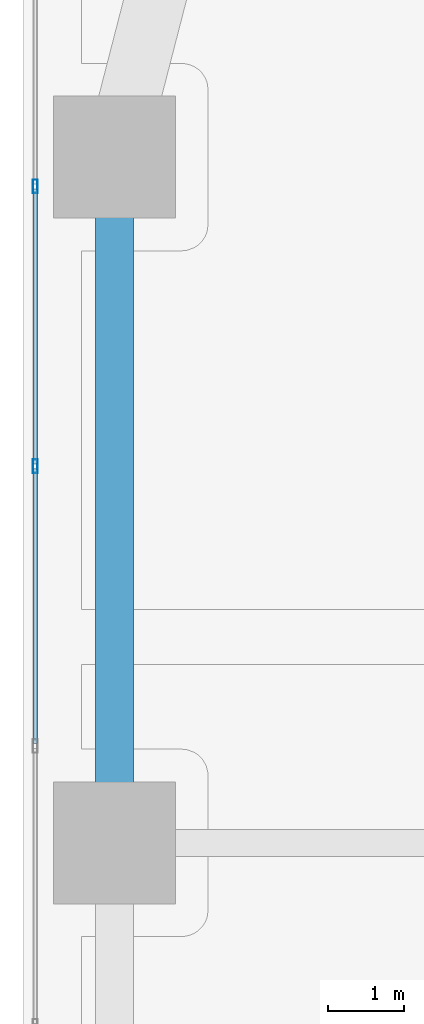
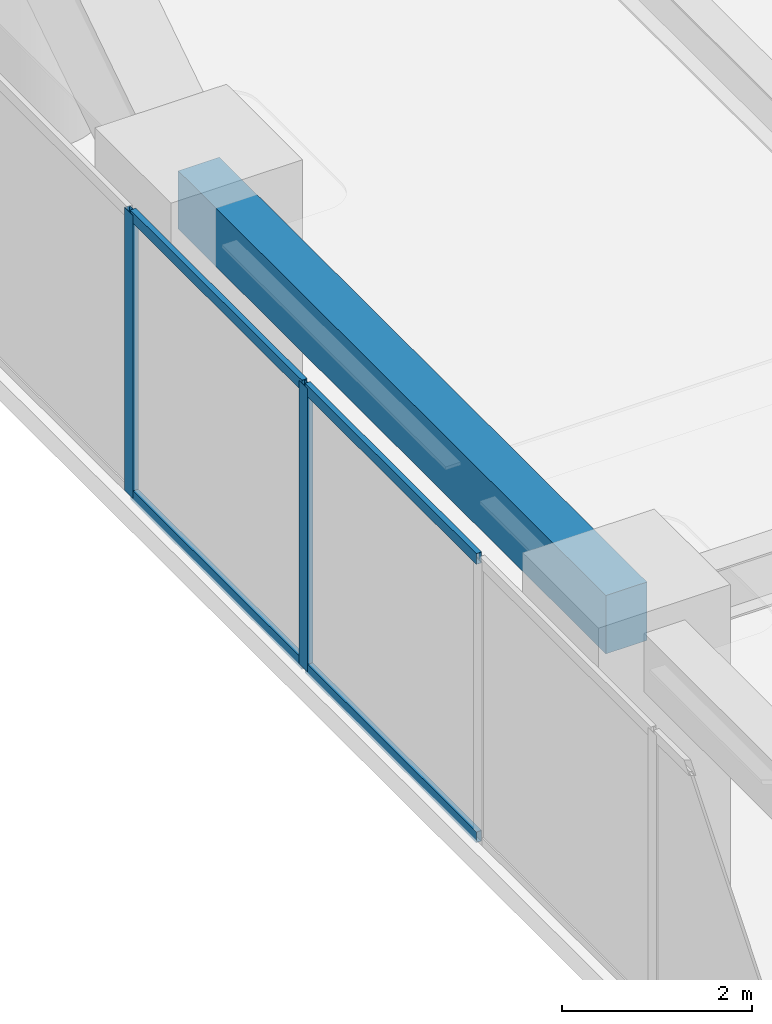
# One storey, part 12 of 29: 6 members, 1 beam, 1 element without a shape of its own.
"""IFC4 building model written with IfcOpenShell, lengths in metres."""

from ifc_helpers import new_model, si_unit, direction, frame, origin, origin_2d, place, context, subcontext, project, spatial, rectangle, hollow_rectangle, extrude, material, layer, layer_set, material_profile, profile_set, type_object, element, aggregate, save


model = new_model("IFC4")

# Units and contexts
model_context = context("Model", 3, precision=1e-05, world=origin(), true_north=direction((0.0, 1.0)))
body_context = subcontext(model_context, "Body", "Model", "MODEL_VIEW")
ifc_project = project(units=[si_unit("LENGTHUNIT", "METRE"), si_unit("AREAUNIT", "SQUARE_METRE"), si_unit("VOLUMEUNIT", "CUBIC_METRE"), si_unit("PLANEANGLEUNIT", "RADIAN"), si_unit("MASSUNIT", "GRAM", prefix="KILO")], contexts=[model_context])

# Site, building, storey
site_placement = place(None, origin())
site = spatial("IfcSite", under=ifc_project, at=site_placement, CompositionType="ELEMENT")
building_placement = place(site_placement, origin())
building = spatial("IfcBuilding", under=site, at=building_placement, Name="Kiyonajd Concourse Tower", CompositionType="ELEMENT")
storey_placement = place(building_placement, frame((0.0, 0.0, 45.0)))
storey = spatial("IfcBuildingStorey", under=building, at=storey_placement, Name="L12", CompositionType="ELEMENT", Elevation=45.0)

# Beam
ifc_material_1 = material(Name="Precast concrete C50/60", Category="concrete")
ifc_material_profile_1 = material_profile(ifc_material_1, rectangle(XDim=0.5, YDim=0.75, at=origin_2d()), Name="RCBM-500x750")
ifc_profile_set_1 = profile_set([ifc_material_profile_1], Name="Precast concrete C50/60")
beam_type = type_object("IfcBeamType", Name="BM-SPAN-RC", PredefinedType="SPANDREL", material=ifc_profile_set_1)
beam_placement = place(storey_placement, frame((19.199951171875, 53.39990234375, 3.264892578125), z_axis=(0.0, -1.0, 0.0), x_axis=(1.0, 0.0, 0.0)))
element("IfcBeam", 1, at=beam_placement, inside=storey, type_object=beam_type, Name="L12 Perimeter Bundled Tube Spandrel", PredefinedType="SPANDREL", context=body_context, shape_type="SweptSolid", body=[
    extrude(rectangle(XDim=0.5, YDim=0.75, at=origin_2d()), origin(), (0.0, 0.0, 1.0), 9.0),
])

# Curtain wall, members
ifc_material_2 = material(Name="Thermally Broken Anodised Aluminium", Category="aluminium")
ifc_layer = layer(ifc_material_2, 0.179931640625)
ifc_layer_set = layer_set([ifc_layer], Name="Thermally Broken Anodised Aluminium")
curtain_wall_type = type_object("IfcCurtainWallType", Name="CW-SYS-02", PredefinedType="NOTDEFINED", material=ifc_layer_set)
curtain_wall_placement = place(storey_placement, origin())
curtain_wall = element("IfcCurtainWall", 2, at=curtain_wall_placement, inside=storey, type_object=curtain_wall_type, Name="L12 Unitised Curtain Wall CW2", PredefinedType="NOTDEFINED")
ifc_material_profile_2 = material_profile(ifc_material_2, hollow_rectangle(XDim=0.06494140625, YDim=0.179931640625, WallThickness=0.00390625, at=origin_2d()), Name="MULL-65x180")
ifc_profile_set_2 = profile_set([ifc_material_profile_2], Name="Thermally Broken Anodised Aluminium")
member_type_1 = type_object("IfcMemberType", Name="MB-CW-MULL1", PredefinedType="MULLION", material=ifc_profile_set_2)
member_1_placement = place(storey_placement, frame((18.159912109375, 49.342529296875, 0.0), z_axis=(0.0, 0.0, 1.0), x_axis=(-1.0, 0.0, 0.0)))
member_1 = element("IfcMember", 3, at=member_1_placement, type_object=member_type_1, Name="CW2 mullion 5", PredefinedType="MULLION", context=body_context, shape_type="SweptSolid", body=[
    extrude(hollow_rectangle(XDim=0.06494140625, YDim=0.179931640625, WallThickness=0.00390625, at=origin_2d()), origin(), (0.0, 0.0, 1.0), 3.639892578125),
])
member_2_placement = place(storey_placement, frame((18.159912109375, 53.015869140625, 0.0), z_axis=(0.0, 0.0, 1.0), x_axis=(-1.0, 0.0, 0.0)))
member_2 = element("IfcMember", 4, at=member_2_placement, type_object=member_type_1, Name="CW2 mullion 6", PredefinedType="MULLION", context=body_context, shape_type="SweptSolid", body=[
    extrude(hollow_rectangle(XDim=0.06494140625, YDim=0.179931640625, WallThickness=0.00390625, at=origin_2d()), origin(), (0.0, 0.0, 1.0), 3.639892578125),
])
ifc_material_profile_3 = material_profile(ifc_material_2, hollow_rectangle(XDim=0.06494140625, YDim=0.139892578125, WallThickness=0.00390625, at=origin_2d()), Name="TRAN-65x140")
ifc_profile_set_3 = profile_set([ifc_material_profile_3], Name="Thermally Broken Anodised Aluminium")
member_type_2 = type_object("IfcMemberType", Name="MB-CW-TRAN1", PredefinedType="USERDEFINED", material=ifc_profile_set_3)
member_3_placement = place(storey_placement, frame((18.159912109375, 45.701904296875, 0.032470703125), z_axis=(0.0, 1.0, 0.0), x_axis=(-1.0, 0.0, 0.0)))
member_3 = element("IfcMember", 5, at=member_3_placement, type_object=member_type_2, Name="CW2 transom 4.1", ObjectType="TRANSOM", PredefinedType="USERDEFINED", context=body_context, shape_type="SweptSolid", body=[
    extrude(hollow_rectangle(XDim=0.06494140625, YDim=0.139892578125, WallThickness=0.00390625, at=origin_2d()), origin(), (0.0, 0.0, 1.0), 3.608154296875),
])
member_4_placement = place(storey_placement, frame((18.159912109375, 45.701904296875, 3.607421875), z_axis=(0.0, 1.0, 0.0), x_axis=(-1.0, 0.0, 0.0)))
member_4 = element("IfcMember", 6, at=member_4_placement, type_object=member_type_2, Name="CW2 transom 4.2", ObjectType="TRANSOM", PredefinedType="USERDEFINED", context=body_context, shape_type="SweptSolid", body=[
    extrude(hollow_rectangle(XDim=0.06494140625, YDim=0.139892578125, WallThickness=0.00390625, at=origin_2d()), origin(), (0.0, 0.0, 1.0), 3.608154296875),
])
member_5_placement = place(storey_placement, frame((18.159912109375, 49.375, 0.032470703125), z_axis=(0.0, 1.0, 0.0), x_axis=(-1.0, 0.0, 0.0)))
member_5 = element("IfcMember", 7, at=member_5_placement, type_object=member_type_2, Name="CW2 transom 5.1", ObjectType="TRANSOM", PredefinedType="USERDEFINED", context=body_context, shape_type="SweptSolid", body=[
    extrude(hollow_rectangle(XDim=0.06494140625, YDim=0.139892578125, WallThickness=0.00390625, at=origin_2d()), origin(), (0.0, 0.0, 1.0), 3.608154296875),
])
member_6_placement = place(storey_placement, frame((18.159912109375, 49.375, 3.607421875), z_axis=(0.0, 1.0, 0.0), x_axis=(-1.0, 0.0, 0.0)))
member_6 = element("IfcMember", 8, at=member_6_placement, type_object=member_type_2, Name="CW2 transom 5.2", ObjectType="TRANSOM", PredefinedType="USERDEFINED", context=body_context, shape_type="SweptSolid", body=[
    extrude(hollow_rectangle(XDim=0.06494140625, YDim=0.139892578125, WallThickness=0.00390625, at=origin_2d()), origin(), (0.0, 0.0, 1.0), 3.608154296875),
])
aggregate(curtain_wall, [member_1, member_2, member_3, member_4, member_5, member_6])

save(model, "model.ifc")
